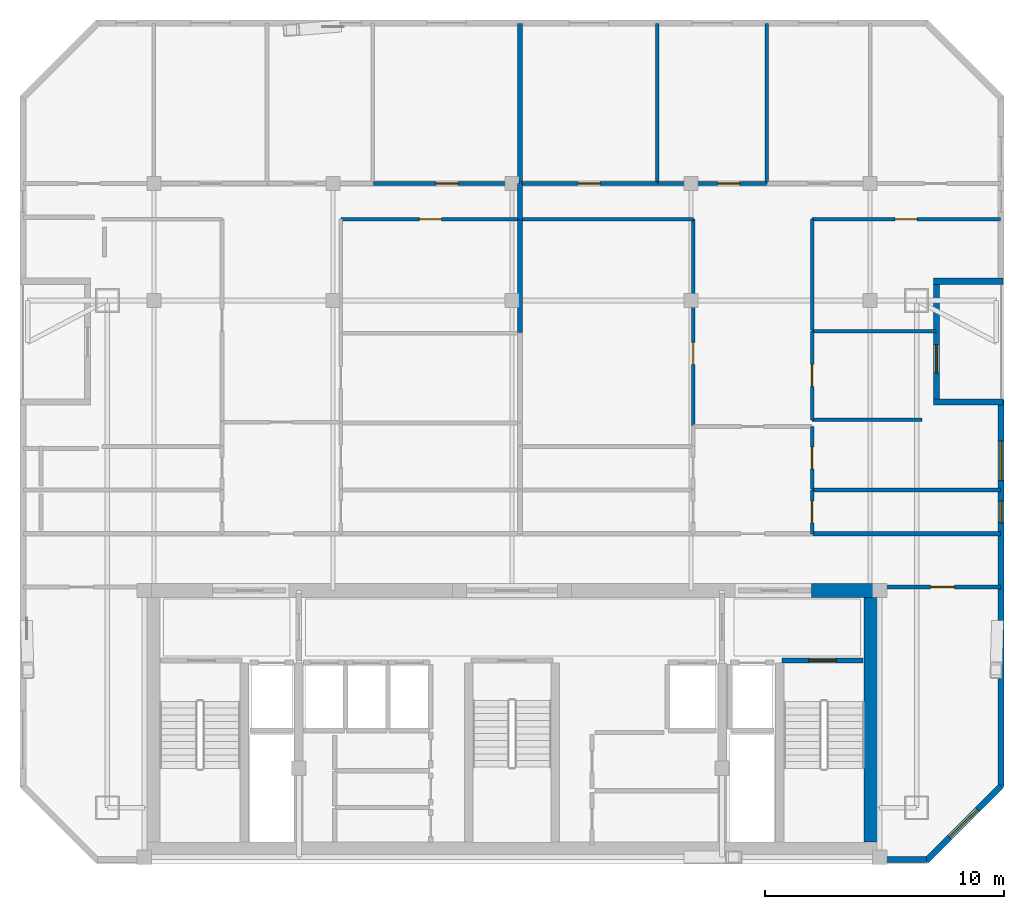
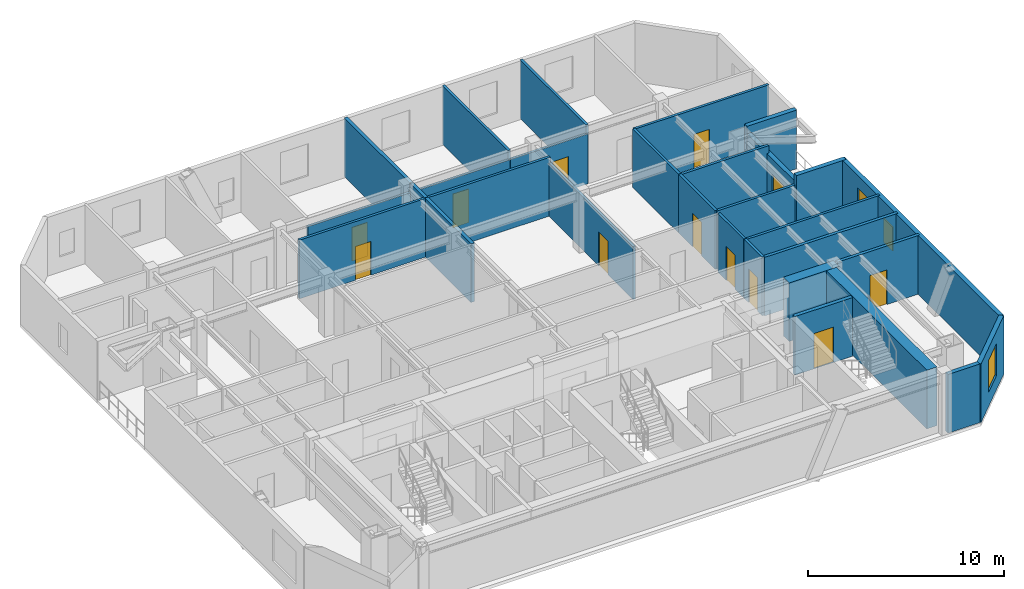
# One storey, part 5 of 7: 30 walls, 12 doors, 3 windows, 15 openings.
"""IFC4 building model written with IfcOpenShell, lengths in metres."""

from ifc_helpers import new_model, si_unit, direction, frame, frame_2d, origin, place, context, subcontext, project, spatial, rectangle, extrude, material, layer, layer_set, type_object, element, fill, save


model = new_model("IFC4")

# Units and contexts
model_context = context("Model", 3, precision=1e-05, world=origin(), true_north=direction((0.0, 1.0)))
body_context = subcontext(model_context, "Body", "Model", "MODEL_VIEW")
ifc_project = project(units=[si_unit("LENGTHUNIT", "METRE"), si_unit("AREAUNIT", "SQUARE_METRE"), si_unit("VOLUMEUNIT", "CUBIC_METRE"), si_unit("PLANEANGLEUNIT", "RADIAN"), si_unit("MASSUNIT", "GRAM", prefix="KILO")], contexts=[model_context])

# Site, building, storey
site_placement = place(None, origin())
site = spatial("IfcSite", under=ifc_project, at=site_placement, CompositionType="ELEMENT")
building_placement = place(site_placement, origin())
building = spatial("IfcBuilding", under=site, at=building_placement, Name="Ventersveld Concourse Tower", CompositionType="ELEMENT")
storey_placement = place(building_placement, frame((0.0, 0.0, 268.300048828125)))
storey = spatial("IfcBuildingStorey", under=building, at=storey_placement, Name="L66", CompositionType="ELEMENT", Elevation=268.300048828125)

# Walls
ifc_material_1 = material(Name="Concrete C50/60", Category="concrete")
ifc_layer_1 = layer(ifc_material_1, 0.60009765625)
ifc_layer_set_1 = layer_set([ifc_layer_1], Name="Concrete C50/60")
wall_type_1 = type_object("IfcWallType", Name="WL-CORE-600", PredefinedType="SHEAR", material=ifc_layer_set_1)
wall_1_placement = place(storey_placement, frame((43.800048828125, 0.919921875, 0.0), z_axis=(0.0, 0.0, 1.0), x_axis=(0.0, 1.0, 0.0)))
element("IfcWall", 1, at=wall_1_placement, inside=storey, type_object=wall_type_1, Name="L66 Rear Core East Shear Wall", PredefinedType="SHEAR", context=body_context, shape_type="SweptSolid", body=[
    extrude(rectangle(XDim=10.530029296875, YDim=0.60009765625, at=frame_2d((5.26513671875, 0.0))), origin(), (0.0, 0.0, 1.0), 3.64990234375),
])
wall_2_placement = place(storey_placement, frame((41.300048828125, 11.449951171875, 0.0), z_axis=(0.0, 0.0, 1.0), x_axis=(1.0, 0.0, 0.0)))
element("IfcWall", 2, at=wall_2_placement, inside=storey, type_object=wall_type_1, Name="L66 Rear Core North Shear Wall NE", PredefinedType="SHEAR", context=body_context, shape_type="SweptSolid", body=[
    extrude(rectangle(XDim=2.949951171875, YDim=0.60009765625, at=frame_2d((1.47509765625, 0.0))), origin(), (0.0, 0.0, 1.0), 3.64990234375),
])

# Wall, opening, door
ifc_material_2 = material(Name="Fire-rated autoclaved aerated masonry blockwork", Category="masonry")
ifc_layer_2 = layer(ifc_material_2, 0.179931640625)
ifc_layer_set_2 = layer_set([ifc_layer_2], Name="Fire-rated autoclaved aerated masonry blockwork")
wall_type_2 = type_object("IfcWallType", Name="WL-CORR-180", PredefinedType="PARTITIONING", material=ifc_layer_set_2)
wall_3_placement = place(storey_placement, frame((44.35498046875, 11.60009765625, 0.0), z_axis=(0.0, 0.0, 1.0), x_axis=(1.0, 0.0, 0.0)))
wall_3 = element("IfcWall", 3, at=wall_3_placement, inside=storey, type_object=wall_type_2, Name="L66 Interior Partition SP-L66-SE-OFF-SP-L66-COR", PredefinedType="PARTITIONING", context=body_context, shape_type="SweptSolid", body=[
    extrude(rectangle(XDim=4.855712890625, YDim=0.179931640625, at=frame_2d((2.427734375, 0.0))), origin(), (0.0, 0.0, 1.0), 3.64990234375),
])
opening_1_placement = place(wall_3_placement, frame((1.927978515625, 0.0, 0.0)))
opening_1 = element("IfcOpeningElement", 4, at=opening_1_placement, cuts=wall_3, Name="Opening FD3", PredefinedType="OPENING", context=body_context, shape_type="SweptSolid", body=[
    extrude(rectangle(XDim=1.0, YDim=2.14990234375, at=frame_2d((0.5, 1.074951171875))), frame((0.0, 0.10009765625, 0.0), z_axis=(0.0, -1.0, 0.0), x_axis=(1.0, 0.0, 0.0)), (0.0, 0.0, 1.0), 0.199951171875),
])
ifc_material_3 = material(Name="Solid-core hardwood veneer timber", Category="wood")
door_type_1 = type_object("IfcDoorType", Name="DR-FLAT-100", OperationType="NOTDEFINED", PredefinedType="DOOR", material=ifc_material_3)
door_1_placement = place(opening_1_placement, origin())
door_1 = element("IfcDoor", 5, at=door_1_placement, inside=storey, type_object=door_type_1, Name="L66 Interior Door SP-L66-SE-OFF to SP-L66-COR (D-L66-3104)", OperationType="SINGLE_SWING_RIGHT", OverallHeight=2.14990234375, OverallWidth=1.0, PredefinedType="DOOR", context=body_context, shape_type="SweptSolid", body=[
    extrude(rectangle(XDim=1.0, YDim=2.14990234375, at=frame_2d((0.5, 1.074951171875))), frame((0.0, 0.02490234375, 0.0), z_axis=(0.0, -1.0, 0.0), x_axis=(1.0, 0.0, 0.0)), (0.0, 0.0, 1.0), 0.050048828125),
])
fill(opening_1, door_1)

# Walls
wall_4_placement = place(storey_placement, frame((41.35400390625, 13.830078125, 0.0), z_axis=(0.0, 0.0, 1.0), x_axis=(1.0, 0.0, 0.0)))
element("IfcWall", 6, at=wall_4_placement, inside=storey, type_object=wall_type_2, Name="L66 Interior Partition SP-L66-COR-SP-L66-66N2-KIT", PredefinedType="PARTITIONING", context=body_context, shape_type="SweptSolid", body=[
    extrude(rectangle(XDim=7.856689453125, YDim=0.179931640625, at=frame_2d((3.92822265625, 0.0))), origin(), (0.0, 0.0, 1.0), 3.64990234375),
])
ifc_layer_3 = layer(ifc_material_2, 0.199951171875)
ifc_layer_set_3 = layer_set([ifc_layer_3], Name="Fire-rated autoclaved aerated masonry blockwork")
wall_type_3 = type_object("IfcWallType", Name="WL-DEMISE-200", PredefinedType="PARTITIONING", material=ifc_layer_set_3)
wall_5_placement = place(storey_placement, frame((29.087890625, 26.9951171875, 0.0), z_axis=(0.0, 0.0, 1.0), x_axis=(0.0, 1.0, 0.0)))
element("IfcWall", 7, at=wall_5_placement, inside=storey, type_object=wall_type_3, Name="L66 Interior Partition SP-L66-66N1-LIV-SP-L66-66N2-LIV", PredefinedType="PARTITIONING", context=body_context, shape_type="SweptSolid", body=[
    extrude(rectangle(XDim=1.509765625, YDim=0.199951171875, at=frame_2d((0.7548828125, 0.0))), origin(), (0.0, 0.0, 1.0), 3.64990234375),
])
wall_6_placement = place(storey_placement, frame((29.087890625, 22.26806640625, 0.0), z_axis=(0.0, 0.0, 1.0), x_axis=(0.0, 1.0, 0.0)))
element("IfcWall", 8, at=wall_6_placement, inside=storey, type_object=wall_type_3, Name="L66 Interior Partition SP-L66-66N1-DENS2-SP-L66-66N2-OFFL0", PredefinedType="PARTITIONING", context=body_context, shape_type="SweptSolid", body=[
    extrude(rectangle(XDim=4.697021484375, YDim=0.199951171875, at=frame_2d((2.3486328125, 0.0))), origin(), (0.0, 0.0, 1.0), 3.64990234375),
])
wall_7_placement = place(storey_placement, frame((29.087890625, 28.534912109375, 0.0), z_axis=(0.0, 0.0, 1.0), x_axis=(0.0, 1.0, 0.0)))
element("IfcWall", 9, at=wall_7_placement, inside=storey, type_object=wall_type_3, Name="L66 Interior Partition SP-L66-66N1-BR4-SP-L66-66N2-BR1", PredefinedType="PARTITIONING", context=body_context, shape_type="SweptSolid", body=[
    extrude(rectangle(XDim=6.6650390625, YDim=0.199951171875, at=frame_2d((3.33251953125, 0.0))), origin(), (0.0, 0.0, 1.0), 3.64990234375),
])

# Wall, opening, door
ifc_layer_4 = layer(ifc_material_2, 0.219970703125)
ifc_layer_set_4 = layer_set([ifc_layer_4], Name="Fire-rated autoclaved aerated masonry blockwork")
wall_type_4 = type_object("IfcWallType", Name="WL-HOIST-220", PredefinedType="SOLIDWALL", material=ifc_layer_set_4)
wall_8_placement = place(storey_placement, frame((40.06005859375, 8.52001953125, 0.0), z_axis=(0.0, 0.0, 1.0), x_axis=(1.0, 0.0, 0.0)))
wall_8 = element("IfcWall", 10, at=wall_8_placement, inside=storey, type_object=wall_type_4, Name="L66 Escape Stair ST02 Fire Wall", PredefinedType="SOLIDWALL", context=body_context, shape_type="SweptSolid", body=[
    extrude(rectangle(XDim=3.39990234375, YDim=0.219970703125, at=frame_2d((1.699951171875, 0.0))), origin(), (0.0, 0.0, 1.0), 3.64990234375),
])
opening_2_placement = place(wall_8_placement, frame((1.125, 0.0, 0.0)))
opening_2 = element("IfcOpeningElement", 11, at=opening_2_placement, cuts=wall_8, Name="Opening FD1", PredefinedType="OPENING", context=body_context, shape_type="SweptSolid", body=[
    extrude(rectangle(XDim=1.14990234375, YDim=2.199951171875, at=frame_2d((0.574951171875, 1.10009765625))), frame((0.0, 0.1201171875, 0.0), z_axis=(0.0, -1.0, 0.0), x_axis=(1.0, 0.0, 0.0)), (0.0, 0.0, 1.0), 0.239990234375),
])
ifc_material_4 = material(Name="Galvanised painted steel", Category="steel")
door_type_2 = type_object("IfcDoorType", Name="DR-STAIR-115", OperationType="NOTDEFINED", PredefinedType="DOOR", material=ifc_material_4)
door_2_placement = place(opening_2_placement, origin())
door_2 = element("IfcDoor", 12, at=door_2_placement, inside=storey, type_object=door_type_2, Name="L66 Escape Stair Door ST02 (SD-L66-3091)", OperationType="SINGLE_SWING_RIGHT", OverallHeight=2.199951171875, OverallWidth=1.14990234375, PredefinedType="DOOR", context=body_context, shape_type="SweptSolid", body=[
    extrude(rectangle(XDim=1.14990234375, YDim=2.199951171875, at=frame_2d((0.574951171875, 1.10009765625))), frame((0.0, 0.02490234375, 0.0), z_axis=(0.0, -1.0, 0.0), x_axis=(1.0, 0.0, 0.0)), (0.0, 0.0, 1.0), 0.050048828125),
])
fill(opening_2, door_2)

ifc_material_5 = material(Name="Autoclaved aerated masonry blockwork", Category="masonry")
ifc_layer_5 = layer(ifc_material_5, 0.14990234375)
ifc_layer_set_5 = layer_set([ifc_layer_5], Name="Autoclaved aerated masonry blockwork")
wall_type_5 = type_object("IfcWallType", Name="WL-INT-150", PredefinedType="PARTITIONING", material=ifc_layer_set_5)
wall_9_placement = place(storey_placement, frame((21.576904296875, 27.0, 0.0), z_axis=(0.0, 0.0, 1.0), x_axis=(1.0, 0.0, 0.0)))
wall_9 = element("IfcWall", 13, at=wall_9_placement, inside=storey, type_object=wall_type_5, Name="L66 Interior Partition SP-L66-66N1-LIV-SP-L66-66N1-DENS2", PredefinedType="PARTITIONING", context=body_context, shape_type="SweptSolid", body=[
    extrude(rectangle(XDim=7.515869140625, YDim=0.14990234375, at=frame_2d((3.7578125, 0.0))), origin(), (0.0, 0.0, 1.0), 3.64990234375),
])
opening_3_placement = place(wall_9_placement, frame((3.298095703125, 0.0, 0.0)))
opening_3 = element("IfcOpeningElement", 14, at=opening_3_placement, cuts=wall_9, Name="Opening ID1", PredefinedType="OPENING", context=body_context, shape_type="SweptSolid", body=[
    extrude(rectangle(XDim=0.919921875, YDim=2.10009765625, at=frame_2d((0.4599609375, 1.050048828125))), frame((0.0, 0.0849609375, 0.0), z_axis=(0.0, -1.0, 0.0), x_axis=(1.0, 0.0, 0.0)), (0.0, 0.0, 1.0), 0.169921875),
])
door_type_3 = type_object("IfcDoorType", Name="DR-ROOM-092", OperationType="NOTDEFINED", PredefinedType="DOOR", material=ifc_material_3)
door_3_placement = place(opening_3_placement, origin())
door_3 = element("IfcDoor", 15, at=door_3_placement, inside=storey, type_object=door_type_3, Name="L66 Interior Door SP-L66-66N1-LIV to SP-L66-66N1-DENS2 (D-L66-3114)", OperationType="SINGLE_SWING_RIGHT", OverallHeight=2.10009765625, OverallWidth=0.919921875, PredefinedType="DOOR", context=body_context, shape_type="SweptSolid", body=[
    extrude(rectangle(XDim=0.919921875, YDim=2.10009765625, at=frame_2d((0.4599609375, 1.050048828125))), frame((0.0, 0.02490234375, 0.0), z_axis=(0.0, -1.0, 0.0), x_axis=(1.0, 0.0, 0.0)), (0.0, 0.0, 1.0), 0.050048828125),
])
fill(opening_3, door_3)

wall_10_placement = place(storey_placement, frame((22.952880859375, 28.5, 0.0), z_axis=(0.0, 0.0, 1.0), x_axis=(1.0, 0.0, 0.0)))
wall_10 = element("IfcWall", 16, at=wall_10_placement, inside=storey, type_object=wall_type_5, Name="L66 Interior Partition SP-L66-66N1-LIV-SP-L66-66N1-BR4", PredefinedType="PARTITIONING", context=body_context, shape_type="SweptSolid", body=[
    extrude(rectangle(XDim=6.139892578125, YDim=0.14990234375, at=frame_2d((3.06982421875, 0.0))), origin(), (0.0, 0.0, 1.0), 3.10546875),
])
opening_4_placement = place(wall_10_placement, frame((2.610107421875, 0.0, 0.0)))
opening_4 = element("IfcOpeningElement", 17, at=opening_4_placement, cuts=wall_10, Name="Opening ID1", PredefinedType="OPENING", context=body_context, shape_type="SweptSolid", body=[
    extrude(rectangle(XDim=0.919921875, YDim=2.10009765625, at=frame_2d((0.4599609375, 1.050048828125))), frame((0.0, 0.0849609375, 0.0), z_axis=(0.0, -1.0, 0.0), x_axis=(1.0, 0.0, 0.0)), (0.0, 0.0, 1.0), 0.169921875),
])
door_4_placement = place(opening_4_placement, origin())
door_4 = element("IfcDoor", 18, at=door_4_placement, inside=storey, type_object=door_type_3, Name="L66 Interior Door SP-L66-66N1-LIV to SP-L66-66N1-BR4 (D-L66-3118)", OperationType="SINGLE_SWING_RIGHT", OverallHeight=2.10009765625, OverallWidth=0.919921875, PredefinedType="DOOR", context=body_context, shape_type="SweptSolid", body=[
    extrude(rectangle(XDim=0.919921875, YDim=2.10009765625, at=frame_2d((0.4599609375, 1.050048828125))), frame((0.0, 0.02490234375, 0.0), z_axis=(0.0, -1.0, 0.0), x_axis=(1.0, 0.0, 0.0)), (0.0, 0.0, 1.0), 0.050048828125),
])
fill(opening_4, door_4)

wall_11_placement = place(storey_placement, frame((41.319091796875, 13.824951171875, 0.0), z_axis=(0.0, 0.0, 1.0), x_axis=(0.0, 1.0, 0.0)))
wall_11 = element("IfcWall", 19, at=wall_11_placement, inside=storey, type_object=wall_type_5, Name="L66 Interior Partition SP-L66-66N2-FOY-SP-L66-66N2-KIT", PredefinedType="PARTITIONING", context=body_context, shape_type="SweptSolid", body=[
    extrude(rectangle(XDim=1.840087890625, YDim=0.14990234375, at=frame_2d((0.919921875, 0.0))), origin(), (0.0, 0.0, 1.0), 3.64990234375),
])
opening_5_placement = place(wall_11_placement, frame((0.4599609375, 0.0, 0.0)))
opening_5 = element("IfcOpeningElement", 20, at=opening_5_placement, cuts=wall_11, Name="Opening ID1", PredefinedType="OPENING", context=body_context, shape_type="SweptSolid", body=[
    extrude(rectangle(XDim=0.919921875, YDim=2.10009765625, at=frame_2d((0.4599609375, 1.050048828125))), frame((0.0, 0.0849609375, 0.0), z_axis=(0.0, -1.0, 0.0), x_axis=(1.0, 0.0, 0.0)), (0.0, 0.0, 1.0), 0.169921875),
])
door_5_placement = place(opening_5_placement, origin())
door_5 = element("IfcDoor", 21, at=door_5_placement, inside=storey, type_object=door_type_3, Name="L66 Interior Door SP-L66-66N2-FOY to SP-L66-66N2-KIT (D-L66-3122)", OperationType="SINGLE_SWING_RIGHT", OverallHeight=2.10009765625, OverallWidth=0.919921875, PredefinedType="DOOR", context=body_context, shape_type="SweptSolid", body=[
    extrude(rectangle(XDim=0.919921875, YDim=2.10009765625, at=frame_2d((0.4599609375, 1.050048828125))), frame((0.0, 0.02490234375, 0.0), z_axis=(0.0, -1.0, 0.0), x_axis=(1.0, 0.0, 0.0)), (0.0, 0.0, 1.0), 0.050048828125),
])
fill(opening_5, door_5)

wall_12_placement = place(storey_placement, frame((41.319091796875, 15.695068359375, 0.0), z_axis=(0.0, 0.0, 1.0), x_axis=(0.0, 1.0, 0.0)))
wall_12 = element("IfcWall", 22, at=wall_12_placement, inside=storey, type_object=wall_type_5, Name="L66 Interior Partition SP-L66-66N2-FOY-SP-L66-66N2-MEDR1", PredefinedType="PARTITIONING", context=body_context, shape_type="SweptSolid", body=[
    extrude(rectangle(XDim=2.63134765625, YDim=0.14990234375, at=frame_2d((1.315673828125, 0.0))), origin(), (0.0, 0.0, 1.0), 3.64990234375),
])
opening_6_placement = place(wall_12_placement, frame((0.855712890625, 0.0, 0.0)))
opening_6 = element("IfcOpeningElement", 23, at=opening_6_placement, cuts=wall_12, Name="Opening ID1", PredefinedType="OPENING", context=body_context, shape_type="SweptSolid", body=[
    extrude(rectangle(XDim=0.919921875, YDim=2.10009765625, at=frame_2d((0.4599609375, 1.050048828125))), frame((0.0, 0.0849609375, 0.0), z_axis=(0.0, -1.0, 0.0), x_axis=(1.0, 0.0, 0.0)), (0.0, 0.0, 1.0), 0.169921875),
])
door_6_placement = place(opening_6_placement, origin())
door_6 = element("IfcDoor", 24, at=door_6_placement, inside=storey, type_object=door_type_3, Name="L66 Interior Door SP-L66-66N2-FOY to SP-L66-66N2-MEDR1 (D-L66-3123)", OperationType="SINGLE_SWING_LEFT", OverallHeight=2.10009765625, OverallWidth=0.919921875, PredefinedType="DOOR", context=body_context, shape_type="SweptSolid", body=[
    extrude(rectangle(XDim=0.919921875, YDim=2.10009765625, at=frame_2d((0.4599609375, 1.050048828125))), frame((0.0, 0.02490234375, 0.0), z_axis=(0.0, -1.0, 0.0), x_axis=(1.0, 0.0, 0.0)), (0.0, 0.0, 1.0), 0.050048828125),
])
fill(opening_6, door_6)

wall_13_placement = place(storey_placement, frame((36.339111328125, 18.3564453125, 0.0), z_axis=(0.0, 0.0, 1.0), x_axis=(0.0, 1.0, 0.0)))
wall_13 = element("IfcWall", 25, at=wall_13_placement, inside=storey, type_object=wall_type_5, Name="L66 Interior Partition SP-L66-66N2-LIV-SP-L66-66N2-OFFL0", PredefinedType="PARTITIONING", context=body_context, shape_type="SweptSolid", body=[
    extrude(rectangle(XDim=8.6484375, YDim=0.14990234375, at=frame_2d((4.32421875, 0.0))), origin(), (0.0, 0.0, 1.0), 3.294921875),
])
opening_7_placement = place(wall_13_placement, frame((2.56689453125, 0.0, 0.0)))
opening_7 = element("IfcOpeningElement", 26, at=opening_7_placement, cuts=wall_13, Name="Opening ID1", PredefinedType="OPENING", context=body_context, shape_type="SweptSolid", body=[
    extrude(rectangle(XDim=0.919921875, YDim=2.10009765625, at=frame_2d((0.4599609375, 1.050048828125))), frame((0.0, 0.0849609375, 0.0), z_axis=(0.0, -1.0, 0.0), x_axis=(1.0, 0.0, 0.0)), (0.0, 0.0, 1.0), 0.169921875),
])
door_7_placement = place(opening_7_placement, origin())
door_7 = element("IfcDoor", 27, at=door_7_placement, inside=storey, type_object=door_type_3, Name="L66 Interior Door SP-L66-66N2-LIV to SP-L66-66N2-OFFL0 (D-L66-3124)", OperationType="SINGLE_SWING_RIGHT", OverallHeight=2.10009765625, OverallWidth=0.919921875, PredefinedType="DOOR", context=body_context, shape_type="SweptSolid", body=[
    extrude(rectangle(XDim=0.919921875, YDim=2.10009765625, at=frame_2d((0.4599609375, 1.050048828125))), frame((0.0, 0.02490234375, 0.0), z_axis=(0.0, -1.0, 0.0), x_axis=(1.0, 0.0, 0.0)), (0.0, 0.0, 1.0), 0.050048828125),
])
fill(opening_7, door_7)

# Wall
wall_14_placement = place(storey_placement, frame((29.122802734375, 27.0, 0.0), z_axis=(0.0, 0.0, 1.0), x_axis=(1.0, 0.0, 0.0)))
element("IfcWall", 28, at=wall_14_placement, inside=storey, type_object=wall_type_5, Name="L66 Interior Partition SP-L66-66N2-LIV-SP-L66-66N2-OFFL0", PredefinedType="PARTITIONING", context=body_context, shape_type="SweptSolid", body=[
    extrude(rectangle(XDim=7.22119140625, YDim=0.14990234375, at=frame_2d((3.610595703125, 0.0))), origin(), (0.0, 0.0, 1.0), 3.64990234375),
])

# Wall, opening, door
wall_15_placement = place(storey_placement, frame((41.319091796875, 18.59619140625, 0.0), z_axis=(0.0, 0.0, 1.0), x_axis=(0.0, 1.0, 0.0)))
wall_15 = element("IfcWall", 29, at=wall_15_placement, inside=storey, type_object=wall_type_5, Name="L66 Interior Partition SP-L66-66N2-LIV-SP-L66-66N2-DENS", PredefinedType="PARTITIONING", context=body_context, shape_type="SweptSolid", body=[
    extrude(rectangle(XDim=3.726806640625, YDim=0.14990234375, at=frame_2d((1.86328125, 0.0))), origin(), (0.0, 0.0, 1.0), 3.64990234375),
])
opening_8_placement = place(wall_15_placement, frame((1.4033203125, 0.0, 0.0)))
opening_8 = element("IfcOpeningElement", 30, at=opening_8_placement, cuts=wall_15, Name="Opening ID1", PredefinedType="OPENING", context=body_context, shape_type="SweptSolid", body=[
    extrude(rectangle(XDim=0.919921875, YDim=2.10009765625, at=frame_2d((0.4599609375, 1.050048828125))), frame((0.0, 0.0849609375, 0.0), z_axis=(0.0, -1.0, 0.0), x_axis=(1.0, 0.0, 0.0)), (0.0, 0.0, 1.0), 0.169921875),
])
door_8_placement = place(opening_8_placement, origin())
door_8 = element("IfcDoor", 31, at=door_8_placement, inside=storey, type_object=door_type_3, Name="L66 Interior Door SP-L66-66N2-LIV to SP-L66-66N2-DENS (D-L66-3125)", OperationType="SINGLE_SWING_LEFT", OverallHeight=2.10009765625, OverallWidth=0.919921875, PredefinedType="DOOR", context=body_context, shape_type="SweptSolid", body=[
    extrude(rectangle(XDim=0.919921875, YDim=2.10009765625, at=frame_2d((0.4599609375, 1.050048828125))), frame((0.0, 0.02490234375, 0.0), z_axis=(0.0, -1.0, 0.0), x_axis=(1.0, 0.0, 0.0)), (0.0, 0.0, 1.0), 0.050048828125),
])
fill(opening_8, door_8)

wall_16_placement = place(storey_placement, frame((41.31396484375, 27.0, 0.0), z_axis=(0.0, 0.0, 1.0), x_axis=(1.0, 0.0, 0.0)))
wall_16 = element("IfcWall", 32, at=wall_16_placement, inside=storey, type_object=wall_type_5, Name="L66 Interior Partition SP-L66-66N2-LIV-SP-L66-66N2-DENS2", PredefinedType="PARTITIONING", context=body_context, shape_type="SweptSolid", body=[
    extrude(rectangle(XDim=7.896728515625, YDim=0.14990234375, at=frame_2d((3.9482421875, 0.0))), origin(), (0.0, 0.0, 1.0), 3.64990234375),
])
opening_9_placement = place(wall_16_placement, frame((3.48828125, 0.0, 0.0)))
opening_9 = element("IfcOpeningElement", 33, at=opening_9_placement, cuts=wall_16, Name="Opening ID1", PredefinedType="OPENING", context=body_context, shape_type="SweptSolid", body=[
    extrude(rectangle(XDim=0.919921875, YDim=2.10009765625, at=frame_2d((0.4599609375, 1.050048828125))), frame((0.0, 0.0849609375, 0.0), z_axis=(0.0, -1.0, 0.0), x_axis=(1.0, 0.0, 0.0)), (0.0, 0.0, 1.0), 0.169921875),
])
door_9_placement = place(opening_9_placement, origin())
door_9 = element("IfcDoor", 34, at=door_9_placement, inside=storey, type_object=door_type_3, Name="L66 Interior Door SP-L66-66N2-LIV to SP-L66-66N2-DENS2 (D-L66-3126)", OperationType="SINGLE_SWING_RIGHT", OverallHeight=2.10009765625, OverallWidth=0.919921875, PredefinedType="DOOR", context=body_context, shape_type="SweptSolid", body=[
    extrude(rectangle(XDim=0.919921875, YDim=2.10009765625, at=frame_2d((0.4599609375, 1.050048828125))), frame((0.0, 0.02490234375, 0.0), z_axis=(0.0, -1.0, 0.0), x_axis=(1.0, 0.0, 0.0)), (0.0, 0.0, 1.0), 0.050048828125),
])
fill(opening_9, door_9)

# Wall
wall_17_placement = place(storey_placement, frame((41.319091796875, 22.35302734375, 0.0), z_axis=(0.0, 0.0, 1.0), x_axis=(0.0, 1.0, 0.0)))
element("IfcWall", 35, at=wall_17_placement, inside=storey, type_object=wall_type_5, Name="L66 Interior Partition SP-L66-66N2-LIV-SP-L66-66N2-DENS2", PredefinedType="PARTITIONING", context=body_context, shape_type="SweptSolid", body=[
    extrude(rectangle(XDim=4.65185546875, YDim=0.14990234375, at=frame_2d((2.325927734375, 0.0))), origin(), (0.0, 0.0, 1.0), 3.64990234375),
])

# Wall, opening, door
wall_18_placement = place(storey_placement, frame((29.122802734375, 28.5, 0.0), z_axis=(0.0, 0.0, 1.0), x_axis=(1.0, 0.0, 0.0)))
wall_18 = element("IfcWall", 36, at=wall_18_placement, inside=storey, type_object=wall_type_5, Name="L66 Interior Partition SP-L66-66N2-LIV-SP-L66-66N2-BR1", PredefinedType="PARTITIONING", context=body_context, shape_type="SweptSolid", body=[
    extrude(rectangle(XDim=5.72021484375, YDim=0.14990234375, at=frame_2d((2.860107421875, 0.0))), origin(), (0.0, 0.0, 1.0), 3.10546875),
])
opening_10_placement = place(wall_18_placement, frame((2.39990234375, 0.0, 0.0)))
opening_10 = element("IfcOpeningElement", 37, at=opening_10_placement, cuts=wall_18, Name="Opening ID1", PredefinedType="OPENING", context=body_context, shape_type="SweptSolid", body=[
    extrude(rectangle(XDim=0.919921875, YDim=2.10009765625, at=frame_2d((0.4599609375, 1.050048828125))), frame((0.0, 0.0849609375, 0.0), z_axis=(0.0, -1.0, 0.0), x_axis=(1.0, 0.0, 0.0)), (0.0, 0.0, 1.0), 0.169921875),
])
door_10_placement = place(opening_10_placement, origin())
door_10 = element("IfcDoor", 38, at=door_10_placement, inside=storey, type_object=door_type_3, Name="L66 Interior Door SP-L66-66N2-LIV to SP-L66-66N2-BR1 (D-L66-3127)", OperationType="SINGLE_SWING_LEFT", OverallHeight=2.10009765625, OverallWidth=0.919921875, PredefinedType="DOOR", context=body_context, shape_type="SweptSolid", body=[
    extrude(rectangle(XDim=0.919921875, YDim=2.10009765625, at=frame_2d((0.4599609375, 1.050048828125))), frame((0.0, 0.02490234375, 0.0), z_axis=(0.0, -1.0, 0.0), x_axis=(1.0, 0.0, 0.0)), (0.0, 0.0, 1.0), 0.050048828125),
])
fill(opening_10, door_10)

wall_19_placement = place(storey_placement, frame((34.872802734375, 28.5, 0.0), z_axis=(0.0, 0.0, 1.0), x_axis=(1.0, 0.0, 0.0)))
wall_19 = element("IfcWall", 39, at=wall_19_placement, inside=storey, type_object=wall_type_5, Name="L66 Interior Partition SP-L66-66N2-LIV-SP-L66-66N2-BR2", PredefinedType="PARTITIONING", context=body_context, shape_type="SweptSolid", body=[
    extrude(rectangle(XDim=4.547607421875, YDim=0.14990234375, at=frame_2d((2.27392578125, 0.0))), origin(), (0.0, 0.0, 1.0), 3.10546875),
])
opening_11_placement = place(wall_19_placement, frame((2.495849609375, 0.0, 0.0)))
opening_11 = element("IfcOpeningElement", 40, at=opening_11_placement, cuts=wall_19, Name="Opening ID1", PredefinedType="OPENING", context=body_context, shape_type="SweptSolid", body=[
    extrude(rectangle(XDim=0.919921875, YDim=2.10009765625, at=frame_2d((0.4599609375, 1.050048828125))), frame((0.0, 0.0849609375, 0.0), z_axis=(0.0, -1.0, 0.0), x_axis=(1.0, 0.0, 0.0)), (0.0, 0.0, 1.0), 0.169921875),
])
door_11_placement = place(opening_11_placement, origin())
door_11 = element("IfcDoor", 41, at=door_11_placement, inside=storey, type_object=door_type_3, Name="L66 Interior Door SP-L66-66N2-LIV to SP-L66-66N2-BR2 (D-L66-3128)", OperationType="SINGLE_SWING_RIGHT", OverallHeight=2.10009765625, OverallWidth=0.919921875, PredefinedType="DOOR", context=body_context, shape_type="SweptSolid", body=[
    extrude(rectangle(XDim=0.919921875, YDim=2.10009765625, at=frame_2d((0.4599609375, 1.050048828125))), frame((0.0, 0.02490234375, 0.0), z_axis=(0.0, -1.0, 0.0), x_axis=(1.0, 0.0, 0.0)), (0.0, 0.0, 1.0), 0.050048828125),
])
fill(opening_11, door_11)

# Walls
wall_20_placement = place(storey_placement, frame((41.31396484375, 15.659912109375, 0.0), z_axis=(0.0, 0.0, 1.0), x_axis=(1.0, 0.0, 0.0)))
element("IfcWall", 42, at=wall_20_placement, inside=storey, type_object=wall_type_5, Name="L66 Interior Partition SP-L66-66N2-KIT-SP-L66-66N2-MEDR1", PredefinedType="PARTITIONING", context=body_context, shape_type="SweptSolid", body=[
    extrude(rectangle(XDim=7.896728515625, YDim=0.14990234375, at=frame_2d((3.9482421875, 0.0))), origin(), (0.0, 0.0, 1.0), 3.64990234375),
])
wall_21_placement = place(storey_placement, frame((41.31396484375, 18.601318359375, 0.0), z_axis=(0.0, 0.0, 1.0), x_axis=(1.0, 0.0, 0.0)))
element("IfcWall", 43, at=wall_21_placement, inside=storey, type_object=wall_type_5, Name="L66 Interior Partition SP-L66-66N2-MEDR1-SP-L66-66N2-DENS", PredefinedType="PARTITIONING", context=body_context, shape_type="SweptSolid", body=[
    extrude(rectangle(XDim=4.601318359375, YDim=0.14990234375, at=frame_2d((2.30078125, 0.0))), origin(), (0.0, 0.0, 1.0), 3.64990234375),
])
wall_22_placement = place(storey_placement, frame((41.31396484375, 22.318115234375, 0.0), z_axis=(0.0, 0.0, 1.0), x_axis=(1.0, 0.0, 0.0)))
element("IfcWall", 44, at=wall_22_placement, inside=storey, type_object=wall_type_5, Name="L66 Interior Partition SP-L66-66N2-DENS-SP-L66-66N2-DENS2", PredefinedType="PARTITIONING", context=body_context, shape_type="SweptSolid", body=[
    extrude(rectangle(XDim=5.19677734375, YDim=0.14990234375, at=frame_2d((2.598388671875, 0.0))), origin(), (0.0, 0.0, 1.0), 3.64990234375),
])
for number, where, z_axis, x_axis, name in (
    (45, (34.837890625, 28.4951171875, 0.0), (0.0, 0.0, 1.0), (0.0, 1.0, 0.0), "L66 Interior Partition SP-L66-66N2-BR1-SP-L66-66N2-BR2"),
    (46, (39.415283203125, 28.4951171875, 0.0), (0.0, 0.0, 1.0), (0.0, 1.0, 0.0), "L66 Interior Partition SP-L66-66N2-BR2-SP-L66-66N2-BR3"),
):
    element("IfcWall", number, at=place(storey_placement, frame(where, z_axis=z_axis, x_axis=x_axis)), inside=storey, type_object=wall_type_5, Name=name, PredefinedType="PARTITIONING", context=body_context, shape_type="SweptSolid", body=[
        extrude(rectangle(XDim=6.704833984375, YDim=0.14990234375, at=frame_2d((3.3525390625, 0.0))), origin(), (0.0, 0.0, 1.0), 3.64990234375),
    ])
ifc_material_6 = material(Name="Precast concrete C45/55", Category="concrete")
ifc_layer_6 = layer(ifc_material_6, 0.260009765625)
ifc_layer_set_6 = layer_set([ifc_layer_6], Name="Precast concrete C45/55")
wall_type_6 = type_object("IfcWallType", Name="WL-PREC-260", PredefinedType="SOLIDWALL", material=ifc_layer_set_6)
wall_23_placement = place(storey_placement, frame((44.25, 0.179931640625, 0.0), z_axis=(0.0, 0.0, 1.0), x_axis=(1.0, 0.0, 0.0)))
element("IfcWall", 47, at=wall_23_placement, inside=storey, type_object=wall_type_6, Name="L66 South-East Flank Precast Wall", PredefinedType="SOLIDWALL", context=body_context, shape_type="SweptSolid", body=[
    extrude(rectangle(XDim=1.8701171875, YDim=0.260009765625, at=frame_2d((0.93505859375, 0.0))), origin(), (0.0, 0.0, 1.0), 3.64990234375),
])

# Wall, opening, window
wall_24_placement = place(storey_placement, frame((46.0966796875, 0.1201171875, 0.0), z_axis=(0.0, 0.0, 1.0), x_axis=(0.707079321262, 0.707134240044, 0.0)))
wall_24 = element("IfcWall", 48, at=wall_24_placement, inside=storey, type_object=wall_type_6, Name="L66 Highveld Precast Facade Wall E02", PredefinedType="SOLIDWALL", context=body_context, shape_type="SweptSolid", body=[
    extrude(rectangle(XDim=4.445556640625, YDim=0.260009765625, at=frame_2d((2.22265625, 0.0))), origin(), (0.0, 0.0, 1.0), 3.64990234375),
])
opening_12_placement = place(wall_24_placement, frame((1.397705078125, 0.0, 0.8798828125)))
opening_12 = element("IfcOpeningElement", 49, at=opening_12_placement, cuts=wall_24, Name="Opening W6", PredefinedType="OPENING", context=body_context, shape_type="SweptSolid", body=[
    extrude(rectangle(XDim=1.64990234375, YDim=2.0, at=frame_2d((0.824951171875, 1.0))), frame((0.0, 0.14013671875, 0.0), z_axis=(0.0, -1.0, 0.0), x_axis=(1.0, 0.0, 0.0)), (0.0, 0.0, 1.0), 0.280029296875),
])
ifc_material_7 = material(Name="Tempered acoustic Low-E IGU", Category="glass")
window_type_1 = type_object("IfcWindowType", Name="WIN-165x200", PartitioningType="SINGLE_PANEL", PredefinedType="WINDOW", material=ifc_material_7)
window_1_placement = place(opening_12_placement, origin())
window_1 = element("IfcWindow", 50, at=window_1_placement, inside=storey, type_object=window_type_1, Name="L66 Punched Low-E Window W-0936", OverallHeight=2.0, OverallWidth=1.64990234375, PartitioningType="SINGLE_PANEL", PredefinedType="WINDOW", context=body_context, shape_type="SweptSolid", body=[
    extrude(rectangle(XDim=1.64990234375, YDim=2.0, at=frame_2d((0.824951171875, 1.0))), frame((0.0, 0.030029296875, 0.0), z_axis=(0.0, -1.0, 0.0), x_axis=(1.0, 0.0, 0.0)), (0.0, 0.0, 1.0), 0.06005859375),
])
fill(opening_12, window_1)

# Wall, openings, windows
wall_25_placement = place(storey_placement, frame((49.230224609375, 3.239990234375, 0.0), z_axis=(0.0, 0.0, 1.0), x_axis=(0.0, 1.0, 0.0)))
wall_25 = element("IfcWall", 51, at=wall_25_placement, inside=storey, type_object=wall_type_6, Name="L66 Highveld Precast Facade Wall E03", PredefinedType="SOLIDWALL", context=body_context, shape_type="SweptSolid", body=[
    extrude(rectangle(XDim=16.19482421875, YDim=0.260009765625, at=frame_2d((8.097412109375, 0.0))), origin(), (0.0, 0.0, 1.0), 3.64990234375),
])
opening_13_placement = place(wall_25_placement, frame((11.054931640625, 0.0, 0.949951171875)))
opening_13 = element("IfcOpeningElement", 52, at=opening_13_placement, cuts=wall_25, Name="Opening W4", PredefinedType="OPENING", context=body_context, shape_type="SweptSolid", body=[
    extrude(rectangle(XDim=0.89990234375, YDim=1.5, at=frame_2d((0.449951171875, 0.75))), frame((0.0, 0.14013671875, 0.0), z_axis=(0.0, -1.0, 0.0), x_axis=(1.0, 0.0, 0.0)), (0.0, 0.0, 1.0), 0.280029296875),
])
opening_14_placement = place(wall_25_placement, frame((12.817138671875, 0.0, 0.8798828125)))
opening_14 = element("IfcOpeningElement", 53, at=opening_14_placement, cuts=wall_25, Name="Opening W6", PredefinedType="OPENING", context=body_context, shape_type="SweptSolid", body=[
    extrude(rectangle(XDim=1.64990234375, YDim=2.0, at=frame_2d((0.824951171875, 1.0))), frame((0.0, 0.14013671875, 0.0), z_axis=(0.0, -1.0, 0.0), x_axis=(1.0, 0.0, 0.0)), (0.0, 0.0, 1.0), 0.280029296875),
])
window_type_2 = type_object("IfcWindowType", Name="WIN-090x150", PartitioningType="SINGLE_PANEL", PredefinedType="WINDOW", material=ifc_material_7)
window_2_placement = place(opening_13_placement, origin())
window_2 = element("IfcWindow", 54, at=window_2_placement, inside=storey, type_object=window_type_2, Name="L66 Punched Low-E Window W-0943", OverallHeight=1.5, OverallWidth=0.89990234375, PartitioningType="SINGLE_PANEL", PredefinedType="WINDOW", context=body_context, shape_type="SweptSolid", body=[
    extrude(rectangle(XDim=0.89990234375, YDim=1.5, at=frame_2d((0.449951171875, 0.75))), frame((0.0, 0.030029296875, 0.0), z_axis=(0.0, -1.0, 0.0), x_axis=(1.0, 0.0, 0.0)), (0.0, 0.0, 1.0), 0.06005859375),
])
fill(opening_13, window_2)
window_3_placement = place(opening_14_placement, origin())
window_3 = element("IfcWindow", 55, at=window_3_placement, inside=storey, type_object=window_type_1, Name="L66 Punched Low-E Window W-0944", OverallHeight=2.0, OverallWidth=1.64990234375, PartitioningType="SINGLE_PANEL", PredefinedType="WINDOW", context=body_context, shape_type="SweptSolid", body=[
    extrude(rectangle(XDim=1.64990234375, YDim=2.0, at=frame_2d((0.824951171875, 1.0))), frame((0.0, 0.030029296875, 0.0), z_axis=(0.0, -1.0, 0.0), x_axis=(1.0, 0.0, 0.0)), (0.0, 0.0, 1.0), 0.06005859375),
])
fill(opening_14, window_3)

# Wall
wall_26_placement = place(storey_placement, frame((49.3203125, 19.3447265625, 0.0), z_axis=(0.0, 0.0, 1.0), x_axis=(-1.0, 0.0, 0.0)))
element("IfcWall", 56, at=wall_26_placement, inside=storey, type_object=wall_type_6, Name="L66 Highveld Precast Facade Wall E04", PredefinedType="SOLIDWALL", context=body_context, shape_type="SweptSolid", body=[
    extrude(rectangle(XDim=2.920166015625, YDim=0.260009765625, at=frame_2d((1.4599609375, 0.0))), origin(), (0.0, 0.0, 1.0), 3.64990234375),
])

# Wall, opening, door
wall_27_placement = place(storey_placement, frame((46.5302734375, 19.474609375, 0.0), z_axis=(0.0, 0.0, 1.0), x_axis=(0.0, 1.0, 0.0)))
wall_27 = element("IfcWall", 57, at=wall_27_placement, inside=storey, type_object=wall_type_6, Name="L66 Highveld Precast Facade Wall E05", PredefinedType="SOLIDWALL", context=body_context, shape_type="SweptSolid", body=[
    extrude(rectangle(XDim=4.800048828125, YDim=0.260009765625, at=frame_2d((2.39990234375, 0.0))), origin(), (0.0, 0.0, 1.0), 3.18994140625),
])
opening_15_placement = place(wall_27_placement, frame((1.080078125, 0.0, 0.0)))
opening_15 = element("IfcOpeningElement", 58, at=opening_15_placement, cuts=wall_27, Name="Opening TD1", PredefinedType="OPENING", context=body_context, shape_type="SweptSolid", body=[
    extrude(rectangle(XDim=1.199951171875, YDim=2.199951171875, at=frame_2d((0.60009765625, 1.10009765625))), frame((0.0, 0.14013671875, 0.0), z_axis=(0.0, -1.0, 0.0), x_axis=(1.0, 0.0, 0.0)), (0.0, 0.0, 1.0), 0.280029296875),
])
ifc_material_8 = material(Name="Anodised aluminium EN AW-6063-T6", Category="aluminium")
door_type_4 = type_object("IfcDoorType", Name="DR-TERR-120", OperationType="NOTDEFINED", PredefinedType="DOOR", material=ifc_material_8)
door_12_placement = place(opening_15_placement, frame((1.199951171875, 0.0, 0.0), z_axis=(0.0, 0.0, 1.0), x_axis=(-1.0, 0.0, 0.0)))
door_12 = element("IfcDoor", 59, at=door_12_placement, inside=storey, type_object=door_type_4, Name="L66 Stepped Valley Terrace Door TD-L66-02", OperationType="SINGLE_SWING_RIGHT", OverallHeight=2.199951171875, OverallWidth=1.199951171875, PredefinedType="DOOR", context=body_context, shape_type="SweptSolid", body=[
    extrude(rectangle(XDim=1.199951171875, YDim=2.199951171875, at=frame_2d((0.60009765625, 1.10009765625))), frame((0.0, 0.02490234375, 0.0), z_axis=(0.0, -1.0, 0.0), x_axis=(1.0, 0.0, 0.0)), (0.0, 0.0, 1.0), 0.050048828125),
])
fill(opening_15, door_12)

# Wall
wall_28_placement = place(storey_placement, frame((46.400146484375, 24.40478515625, 0.0), z_axis=(0.0, 0.0, 1.0), x_axis=(1.0, 0.0, 0.0)))
element("IfcWall", 60, at=wall_28_placement, inside=storey, type_object=wall_type_6, Name="L66 Highveld Precast Facade Wall E06", PredefinedType="SOLIDWALL", context=body_context, shape_type="SweptSolid", body=[
    extrude(rectangle(XDim=2.920166015625, YDim=0.260009765625, at=frame_2d((1.4599609375, 0.0))), origin(), (0.0, 0.0, 1.0), 3.64990234375),
])

save(model, "model.ifc")
